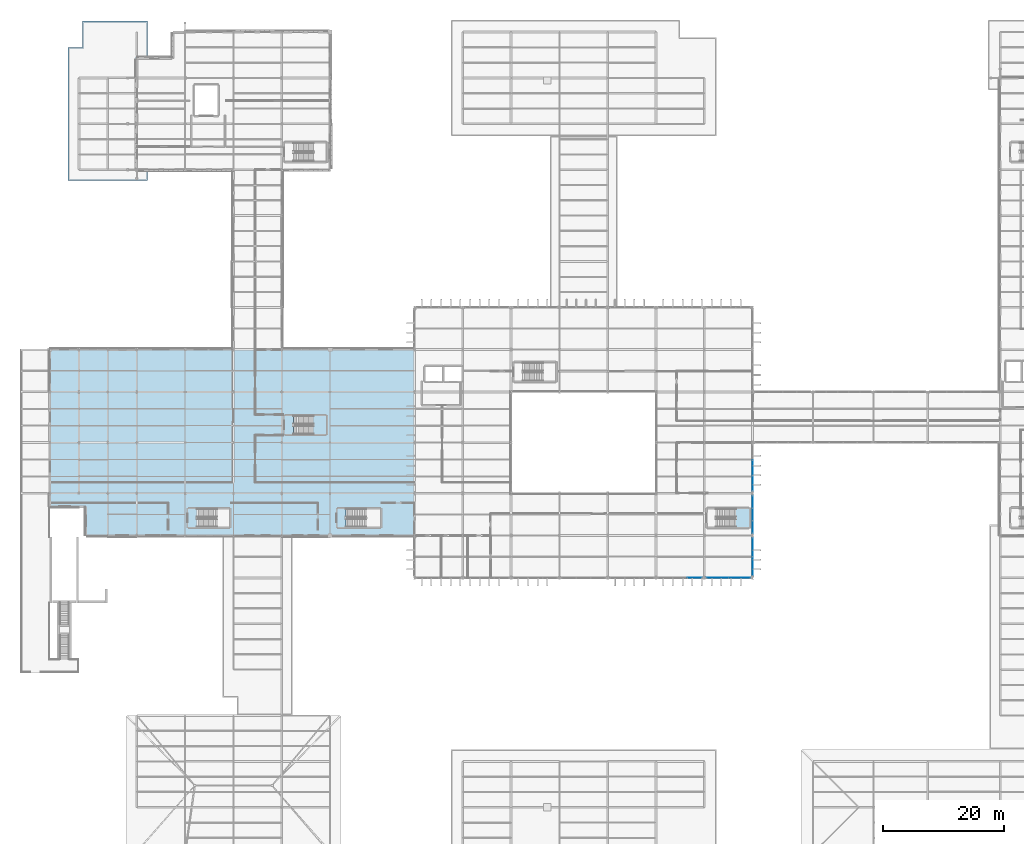
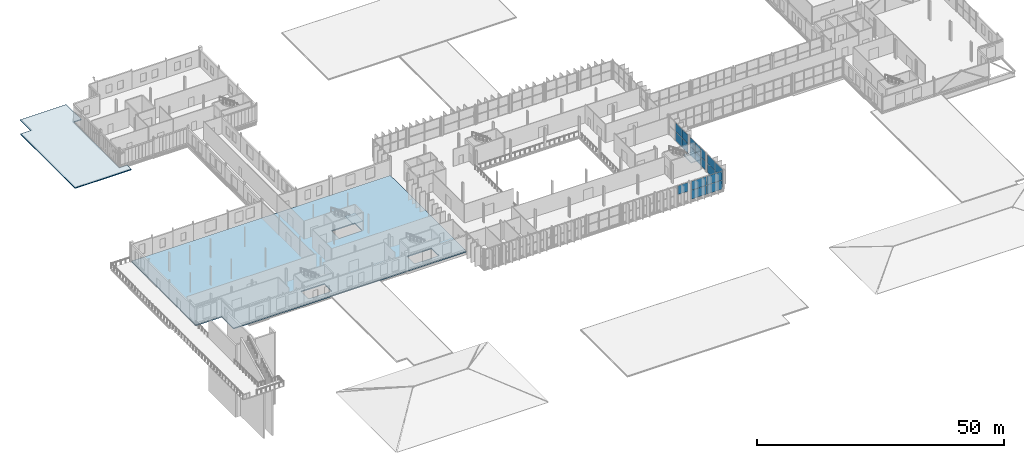
# One storey, part 81 of 120: 19 plates, 4 slabs, 7 elements without a shape of their own.
"""IFC4 building model written with IfcOpenShell, lengths in metres."""

from ifc_helpers import new_model, si_unit, direction, frame, origin, origin_2d, place, context, subcontext, project, spatial, polyline, rectangle, outline, extrude, material, layer, layer_set, type_object, element, aggregate, save


model = new_model("IFC4")

# Units and contexts
model_context = context("Model", 3, precision=1e-05, world=origin(), true_north=direction((0.0, 1.0)))
body_context = subcontext(model_context, "Body", "Model", "MODEL_VIEW")
ifc_project = project(units=[si_unit("LENGTHUNIT", "METRE"), si_unit("AREAUNIT", "SQUARE_METRE"), si_unit("VOLUMEUNIT", "CUBIC_METRE"), si_unit("PLANEANGLEUNIT", "RADIAN"), si_unit("MASSUNIT", "GRAM", prefix="KILO")], contexts=[model_context])

# Site, building, storey
site_placement = place(None, origin())
site = spatial("IfcSite", under=ifc_project, at=site_placement, CompositionType="ELEMENT")
building_placement = place(site_placement, origin())
building = spatial("IfcBuilding", under=site, at=building_placement, Name="Vekula Escarpment Museum", CompositionType="ELEMENT")
storey_placement = place(building_placement, frame((0.0, 0.0, 13.199951171875)))
storey = spatial("IfcBuildingStorey", under=building, at=storey_placement, Name="L03", CompositionType="ELEMENT", Elevation=13.199951171875)

# Curtain wall, plates
ifc_material_1 = material(Name="Aluminium thermally broken framing", Category="aluminium")
ifc_layer_1 = layer(ifc_material_1, 0.179931640625)
ifc_layer_set_1 = layer_set([ifc_layer_1], Name="Aluminium thermally broken framing")
curtain_wall_type_1 = type_object("IfcCurtainWallType", Name="CW-SYS-08", PredefinedType="NOTDEFINED", material=ifc_layer_set_1)
curtain_wall_1_placement = place(storey_placement, origin())
curtain_wall_1 = element("IfcCurtainWall", 1, at=curtain_wall_1_placement, inside=storey, type_object=curtain_wall_type_1, Name="Curtain Wall CW-L03-108", PredefinedType="NOTDEFINED")
ifc_material_2 = material(Name="Double solar-control low-E glass", Category="glass")
ifc_layer_2 = layer(ifc_material_2, 0.028076171875)
ifc_layer_set_2 = layer_set([ifc_layer_2], Name="Double solar-control low-E glass")
plate_type_1 = type_object("IfcPlateType", Name="CW-PNL-28", PredefinedType="CURTAIN_PANEL", material=ifc_layer_set_2)
plate_1_placement = place(storey_placement, frame((126.0, 47.544921875, 0.06005859375), z_axis=(0.0, 0.0, 1.0), x_axis=(0.0, 1.0, 0.0)))
plate_1 = element("IfcPlate", 2, at=plate_1_placement, type_object=plate_type_1, Name="CW-08 panel 1.1", PredefinedType="CURTAIN_PANEL", context=body_context, shape_type="SweptSolid", body=[
    extrude(rectangle(XDim=3.050048828125, YDim=0.028076171875, at=origin_2d()), origin(), (0.0, 0.0, 1.0), 2.18994140625),
])
plate_2_placement = place(storey_placement, frame((126.0, 47.544921875, 2.31005859375), z_axis=(0.0, 0.0, 1.0), x_axis=(0.0, 1.0, 0.0)))
plate_2 = element("IfcPlate", 3, at=plate_2_placement, type_object=plate_type_1, Name="CW-08 panel 1.2", PredefinedType="CURTAIN_PANEL", context=body_context, shape_type="SweptSolid", body=[
    extrude(rectangle(XDim=3.050048828125, YDim=0.028076171875, at=origin_2d()), origin(), (0.0, 0.0, 1.0), 2.18994140625),
])
plate_3_placement = place(storey_placement, frame((126.0, 50.655029296875, 0.06005859375), z_axis=(0.0, 0.0, 1.0), x_axis=(0.0, 1.0, 0.0)))
plate_3 = element("IfcPlate", 4, at=plate_3_placement, type_object=plate_type_1, Name="CW-08 panel 2.1", PredefinedType="CURTAIN_PANEL", context=body_context, shape_type="SweptSolid", body=[
    extrude(rectangle(XDim=3.050048828125, YDim=0.028076171875, at=origin_2d()), origin(), (0.0, 0.0, 1.0), 2.18994140625),
])
plate_4_placement = place(storey_placement, frame((126.0, 50.655029296875, 2.31005859375), z_axis=(0.0, 0.0, 1.0), x_axis=(0.0, 1.0, 0.0)))
plate_4 = element("IfcPlate", 5, at=plate_4_placement, type_object=plate_type_1, Name="CW-08 panel 2.2", PredefinedType="CURTAIN_PANEL", context=body_context, shape_type="SweptSolid", body=[
    extrude(rectangle(XDim=3.050048828125, YDim=0.028076171875, at=origin_2d()), origin(), (0.0, 0.0, 1.0), 2.18994140625),
])
aggregate(curtain_wall_1, [plate_1, plate_2, plate_3, plate_4])

ifc_material_3 = material(Name="Aluminium thermally broken framing", Category="aluminium")
ifc_layer_3 = layer(ifc_material_3, 0.14990234375)
ifc_layer_set_3 = layer_set([ifc_layer_3], Name="Aluminium thermally broken framing")
curtain_wall_type_2 = type_object("IfcCurtainWallType", Name="CW-SYS-09", PredefinedType="NOTDEFINED", material=ifc_layer_set_3)
curtain_wall_2_placement = place(storey_placement, origin())
curtain_wall_2 = element("IfcCurtainWall", 6, at=curtain_wall_2_placement, inside=storey, type_object=curtain_wall_type_2, Name="Curtain Wall CW-L03-109", PredefinedType="NOTDEFINED")
ifc_material_4 = material(Name="Acoustic laminated double low-E glass", Category="glass")
ifc_layer_4 = layer(ifc_material_4, 0.031982421875)
ifc_layer_set_4 = layer_set([ifc_layer_4], Name="Acoustic laminated double low-E glass")
plate_type_2 = type_object("IfcPlateType", Name="CW-PNL-32", PredefinedType="CURTAIN_PANEL", material=ifc_layer_set_4)
plate_5_placement = place(storey_placement, frame((126.0, 54.021728515625, 0.06005859375), z_axis=(0.0, 0.0, 1.0), x_axis=(0.0, 1.0, 0.0)))
plate_5 = element("IfcPlate", 7, at=plate_5_placement, type_object=plate_type_2, Name="CW-09 panel 1.1", PredefinedType="CURTAIN_PANEL", context=body_context, shape_type="SweptSolid", body=[
    extrude(rectangle(XDim=2.00341796875, YDim=0.031982421875, at=origin_2d()), origin(), (0.0, 0.0, 1.0), 2.18994140625),
])
plate_6_placement = place(storey_placement, frame((126.0, 54.021728515625, 2.31005859375), z_axis=(0.0, 0.0, 1.0), x_axis=(0.0, 1.0, 0.0)))
plate_6 = element("IfcPlate", 8, at=plate_6_placement, type_object=plate_type_2, Name="CW-09 panel 1.2", PredefinedType="CURTAIN_PANEL", context=body_context, shape_type="SweptSolid", body=[
    extrude(rectangle(XDim=2.00341796875, YDim=0.031982421875, at=origin_2d()), origin(), (0.0, 0.0, 1.0), 2.18994140625),
])
plate_7_placement = place(storey_placement, frame((126.0, 56.10009765625, 0.06005859375), z_axis=(0.0, 0.0, 1.0), x_axis=(0.0, 1.0, 0.0)))
plate_7 = element("IfcPlate", 9, at=plate_7_placement, type_object=plate_type_2, Name="CW-09 panel 2.1", PredefinedType="CURTAIN_PANEL", context=body_context, shape_type="SweptSolid", body=[
    extrude(rectangle(XDim=2.033447265625, YDim=0.031982421875, at=origin_2d()), origin(), (0.0, 0.0, 1.0), 2.18994140625),
])
plate_8_placement = place(storey_placement, frame((126.0, 56.10009765625, 2.31005859375), z_axis=(0.0, 0.0, 1.0), x_axis=(0.0, 1.0, 0.0)))
plate_8 = element("IfcPlate", 10, at=plate_8_placement, type_object=plate_type_2, Name="CW-09 panel 2.2", PredefinedType="CURTAIN_PANEL", context=body_context, shape_type="SweptSolid", body=[
    extrude(rectangle(XDim=2.033447265625, YDim=0.031982421875, at=origin_2d()), origin(), (0.0, 0.0, 1.0), 2.18994140625),
])
plate_9_placement = place(storey_placement, frame((126.0, 58.17822265625, 0.06005859375), z_axis=(0.0, 0.0, 1.0), x_axis=(0.0, 1.0, 0.0)))
plate_9 = element("IfcPlate", 11, at=plate_9_placement, type_object=plate_type_2, Name="CW-09 panel 3.1", PredefinedType="CURTAIN_PANEL", context=body_context, shape_type="SweptSolid", body=[
    extrude(rectangle(XDim=2.00341796875, YDim=0.031982421875, at=origin_2d()), origin(), (0.0, 0.0, 1.0), 2.18994140625),
])
plate_10_placement = place(storey_placement, frame((126.0, 58.17822265625, 2.31005859375), z_axis=(0.0, 0.0, 1.0), x_axis=(0.0, 1.0, 0.0)))
plate_10 = element("IfcPlate", 12, at=plate_10_placement, type_object=plate_type_2, Name="CW-09 panel 3.2", PredefinedType="CURTAIN_PANEL", context=body_context, shape_type="SweptSolid", body=[
    extrude(rectangle(XDim=2.00341796875, YDim=0.031982421875, at=origin_2d()), origin(), (0.0, 0.0, 1.0), 2.18994140625),
])
aggregate(curtain_wall_2, [plate_5, plate_6, plate_7, plate_8, plate_9, plate_10])

# Curtain wall, plate
ifc_material_5 = material(Name="Aluminium thermally broken framing", Category="aluminium")
ifc_layer_5 = layer(ifc_material_5, 0.139892578125)
ifc_layer_set_5 = layer_set([ifc_layer_5], Name="Aluminium thermally broken framing")
curtain_wall_type_3 = type_object("IfcCurtainWallType", Name="CW-SYS-06", PredefinedType="NOTDEFINED", material=ifc_layer_set_5)
curtain_wall_3_placement = place(storey_placement, origin())
curtain_wall_3 = element("IfcCurtainWall", 13, at=curtain_wall_3_placement, inside=storey, type_object=curtain_wall_type_3, Name="Curtain Wall CW-L03-106", PredefinedType="NOTDEFINED")
ifc_material_6 = material(Name="Triple UV-filtered museum gallery glass", Category="glass")
ifc_layer_6 = layer(ifc_material_6, 0.035888671875)
ifc_layer_set_6 = layer_set([ifc_layer_6], Name="Triple UV-filtered museum gallery glass")
plate_type_3 = type_object("IfcPlateType", Name="CW-PNL-36", PredefinedType="CURTAIN_PANEL", material=ifc_layer_set_6)
plate_11_placement = place(storey_placement, frame((116.41162109375, 45.60009765625, 2.31005859375), z_axis=(0.0, 0.0, 1.0), x_axis=(1.0, 0.0, 0.0)))
plate_11 = element("IfcPlate", 14, at=plate_11_placement, type_object=plate_type_3, Name="CW-06 panel 3.2", PredefinedType="CURTAIN_PANEL", context=body_context, shape_type="SweptSolid", body=[
    extrude(rectangle(XDim=2.336669921875, YDim=0.035888671875, at=origin_2d()), origin(), (0.0, 0.0, 1.0), 2.18994140625),
])
aggregate(curtain_wall_3, [plate_11])

# Curtain wall, plates
ifc_material_7 = material(Name="Aluminium thermally broken framing", Category="aluminium")
ifc_layer_7 = layer(ifc_material_7, 0.169921875)
ifc_layer_set_7 = layer_set([ifc_layer_7], Name="Aluminium thermally broken framing")
curtain_wall_type_4 = type_object("IfcCurtainWallType", Name="CW-SYS-10", PredefinedType="NOTDEFINED", material=ifc_layer_set_7)
curtain_wall_4_placement = place(storey_placement, origin())
curtain_wall_4 = element("IfcCurtainWall", 15, at=curtain_wall_4_placement, inside=storey, type_object=curtain_wall_type_4, Name="Curtain Wall CW-L03-110", PredefinedType="NOTDEFINED")
plate_12_placement = place(storey_placement, frame((126.0, 61.2548828125, 0.06005859375), z_axis=(0.0, 0.0, 1.0), x_axis=(0.0, 1.0, 0.0)))
plate_12 = element("IfcPlate", 16, at=plate_12_placement, type_object=plate_type_3, Name="CW-10 panel 1.1", PredefinedType="CURTAIN_PANEL", context=body_context, shape_type="SweptSolid", body=[
    extrude(rectangle(XDim=2.469970703125, YDim=0.035888671875, at=origin_2d()), origin(), (0.0, 0.0, 1.0), 2.18994140625),
])
plate_13_placement = place(storey_placement, frame((126.0, 61.2548828125, 2.31005859375), z_axis=(0.0, 0.0, 1.0), x_axis=(0.0, 1.0, 0.0)))
plate_13 = element("IfcPlate", 17, at=plate_13_placement, type_object=plate_type_3, Name="CW-10 panel 1.2", PredefinedType="CURTAIN_PANEL", context=body_context, shape_type="SweptSolid", body=[
    extrude(rectangle(XDim=2.469970703125, YDim=0.035888671875, at=origin_2d()), origin(), (0.0, 0.0, 1.0), 2.18994140625),
])
plate_14_placement = place(storey_placement, frame((126.0, 63.800048828125, 0.06005859375), z_axis=(0.0, 0.0, 1.0), x_axis=(0.0, 1.0, 0.0)))
plate_14 = element("IfcPlate", 18, at=plate_14_placement, type_object=plate_type_3, Name="CW-10 panel 2.1", PredefinedType="CURTAIN_PANEL", context=body_context, shape_type="SweptSolid", body=[
    extrude(rectangle(XDim=2.5, YDim=0.035888671875, at=origin_2d()), origin(), (0.0, 0.0, 1.0), 2.18994140625),
])
plate_15_placement = place(storey_placement, frame((126.0, 63.800048828125, 2.31005859375), z_axis=(0.0, 0.0, 1.0), x_axis=(0.0, 1.0, 0.0)))
plate_15 = element("IfcPlate", 19, at=plate_15_placement, type_object=plate_type_3, Name="CW-10 panel 2.2", PredefinedType="CURTAIN_PANEL", context=body_context, shape_type="SweptSolid", body=[
    extrude(rectangle(XDim=2.5, YDim=0.035888671875, at=origin_2d()), origin(), (0.0, 0.0, 1.0), 2.18994140625),
])
aggregate(curtain_wall_4, [plate_12, plate_13, plate_14, plate_15])

ifc_material_8 = material(Name="Aluminium thermally broken framing", Category="aluminium")
ifc_layer_8 = layer(ifc_material_8, 0.179931640625)
ifc_layer_set_8 = layer_set([ifc_layer_8], Name="Aluminium thermally broken framing")
curtain_wall_type_5 = type_object("IfcCurtainWallType", Name="CW-SYS-07", PredefinedType="NOTDEFINED", material=ifc_layer_set_8)
curtain_wall_5_placement = place(storey_placement, origin())
curtain_wall_5 = element("IfcCurtainWall", 20, at=curtain_wall_5_placement, inside=storey, type_object=curtain_wall_type_5, Name="Curtain Wall CW-L03-107", PredefinedType="NOTDEFINED")
ifc_material_9 = material(Name="Insulated bronze spandrel glass panel", Category="glass")
ifc_layer_9 = layer(ifc_material_9, 0.0400390625)
ifc_layer_set_9 = layer_set([ifc_layer_9], Name="Insulated bronze spandrel glass panel")
plate_type_4 = type_object("IfcPlateType", Name="CW-PNL-40", PredefinedType="CURTAIN_PANEL", material=ifc_layer_set_9)
plate_16_placement = place(storey_placement, frame((120.195068359375, 45.60009765625, 0.06005859375), z_axis=(0.0, 0.0, 1.0), x_axis=(1.0, 0.0, 0.0)))
plate_16 = element("IfcPlate", 21, at=plate_16_placement, type_object=plate_type_4, Name="CW-07 panel 1.1", PredefinedType="CURTAIN_PANEL", context=body_context, shape_type="SweptSolid", body=[
    extrude(rectangle(XDim=3.550048828125, YDim=0.0400390625, at=origin_2d()), origin(), (0.0, 0.0, 1.0), 2.18994140625),
])
plate_17_placement = place(storey_placement, frame((120.195068359375, 45.60009765625, 2.31005859375), z_axis=(0.0, 0.0, 1.0), x_axis=(1.0, 0.0, 0.0)))
plate_17 = element("IfcPlate", 22, at=plate_17_placement, type_object=plate_type_4, Name="CW-07 panel 1.2", PredefinedType="CURTAIN_PANEL", context=body_context, shape_type="SweptSolid", body=[
    extrude(rectangle(XDim=3.550048828125, YDim=0.0400390625, at=origin_2d()), origin(), (0.0, 0.0, 1.0), 2.18994140625),
])
plate_18_placement = place(storey_placement, frame((123.804931640625, 45.60009765625, 0.06005859375), z_axis=(0.0, 0.0, 1.0), x_axis=(1.0, 0.0, 0.0)))
plate_18 = element("IfcPlate", 23, at=plate_18_placement, type_object=plate_type_4, Name="CW-07 panel 2.1", PredefinedType="CURTAIN_PANEL", context=body_context, shape_type="SweptSolid", body=[
    extrude(rectangle(XDim=3.550048828125, YDim=0.0400390625, at=origin_2d()), origin(), (0.0, 0.0, 1.0), 2.18994140625),
])
plate_19_placement = place(storey_placement, frame((123.804931640625, 45.60009765625, 2.31005859375), z_axis=(0.0, 0.0, 1.0), x_axis=(1.0, 0.0, 0.0)))
plate_19 = element("IfcPlate", 24, at=plate_19_placement, type_object=plate_type_4, Name="CW-07 panel 2.2", PredefinedType="CURTAIN_PANEL", context=body_context, shape_type="SweptSolid", body=[
    extrude(rectangle(XDim=3.550048828125, YDim=0.0400390625, at=origin_2d()), origin(), (0.0, 0.0, 1.0), 2.18994140625),
])
aggregate(curtain_wall_5, [plate_16, plate_17, plate_18, plate_19])

# Slab
ifc_material_10 = material(Name="Concrete C35/45", Category="concrete")
ifc_layer_10 = layer(ifc_material_10, 0.25)
ifc_layer_set_10 = layer_set([ifc_layer_10], Name="Concrete C35/45")
slab_type_1 = type_object("IfcSlabType", Name="SL-FLR-250", PredefinedType="FLOOR", material=ifc_layer_set_10)
slab_1_placement = place(storey_placement, frame((0.0, 0.0, -0.25)))
element("IfcSlab", 25, at=slab_1_placement, inside=storey, type_object=slab_type_1, Name="Floor Slab W-L03-V2-W", PredefinedType="FLOOR", context=body_context, shape_type="SweptSolid", body=[
    extrude(outline(polyline([(15.60009765625, 52.60009765625), (70.0, 52.60009765625), (70.0, 83.39990234375), (9.60009765625, 83.39990234375), (9.60009765625, 57.39990234375), (15.60009765625, 57.39990234375), (15.60009765625, 52.60009765625)]), holes=[polyline([(58.679931640625, 54.0), (64.39990234375, 54.0), (64.39990234375, 57.0400390625), (58.679931640625, 57.0400390625), (58.679931640625, 54.0)]), polyline([(33.97998046875, 54.0), (39.39990234375, 54.0), (39.39990234375, 57.0400390625), (33.97998046875, 57.0400390625), (33.97998046875, 54.0)]), polyline([(49.97998046875, 69.39990234375), (55.39990234375, 69.39990234375), (55.39990234375, 72.43994140625), (49.97998046875, 72.43994140625), (49.97998046875, 69.39990234375)])]), origin(), (0.0, 0.0, 1.0), 0.25),
])

# Stair, slab
ifc_material_11 = material(Name="Concrete C35/45", Category="concrete")
stair_type = type_object("IfcStairType", Name="STR-TYPE-142", PredefinedType="HALF_TURN_STAIR", material=ifc_material_11)
stair_1_placement = place(storey_placement, origin())
stair_1 = element("IfcStair", 26, at=stair_1_placement, inside=storey, type_object=stair_type, Name="L03 Great Hall East Exit Stair ST-08", PredefinedType="HALF_TURN_STAIR")
ifc_material_12 = material(Name="Concrete C35/45", Category="concrete")
ifc_layer_11 = layer(ifc_material_12, 0.199951171875)
ifc_layer_set_11 = layer_set([ifc_layer_11], Name="Concrete C35/45")
slab_type_2 = type_object("IfcSlabType", Name="SL-LAND-200", PredefinedType="LANDING", material=ifc_layer_set_11)
slab_2_placement = place(storey_placement, frame((0.0, 0.0, 2.199951171875)))
slab_2 = element("IfcSlab", 27, at=slab_2_placement, type_object=slab_type_2, Name="ST-08 landing 1", PredefinedType="LANDING", context=body_context, shape_type="SweptSolid", body=[
    extrude(outline(polyline([(123.18994140625, 53.909912109375), (125.489990234375, 53.909912109375), (125.489990234375, 57.1298828125), (123.18994140625, 57.1298828125), (123.18994140625, 53.909912109375)])), origin(), (0.0, 0.0, 1.0), 0.2001953125),
])
aggregate(stair_1, [slab_2])

stair_2_placement = place(storey_placement, origin())
stair_2 = element("IfcStair", 28, at=stair_2_placement, inside=storey, type_object=stair_type, Name="L03 Plinth Mid Exit Stair ST-10", PredefinedType="HALF_TURN_STAIR")
slab_3_placement = place(storey_placement, frame((0.0, 0.0, 2.199951171875)))
slab_3 = element("IfcSlab", 29, at=slab_3_placement, type_object=slab_type_2, Name="ST-10 landing 1", PredefinedType="LANDING", context=body_context, shape_type="SweptSolid", body=[
    extrude(outline(polyline([(53.18994140625, 69.31005859375), (55.489990234375, 69.31005859375), (55.489990234375, 72.530029296875), (53.18994140625, 72.530029296875), (53.18994140625, 69.31005859375)])), origin(), (0.0, 0.0, 1.0), 0.2001953125),
])
aggregate(stair_2, [slab_3])

# Slab
ifc_material_13 = material(Name="Concrete C35/45", Category="concrete")
ifc_layer_12 = layer(ifc_material_13, 0.199951171875)
ifc_layer_set_12 = layer_set([ifc_layer_12], Name="Concrete C35/45")
slab_type_3 = type_object("IfcSlabType", Name="SL-ROOF-200", PredefinedType="ROOF", material=ifc_layer_set_12)
slab_4_placement = place(storey_placement, frame((0.0, 0.0, -0.199951171875)))
element("IfcSlab", 30, at=slab_4_placement, inside=storey, type_object=slab_type_3, Name="Overhanging Eave Roof Slab R-L03-V5W1", PredefinedType="ROOF", context=body_context, shape_type="SweptSolid", body=[
    extrude(outline(polyline([(12.60009765625, 133.468017578125), (15.0, 133.468017578125), (15.0, 137.800048828125), (25.800048828125, 137.800048828125), (25.800048828125, 131.697998046875), (23.969970703125, 131.697998046875), (23.969970703125, 113.169921875), (25.800048828125, 113.169921875), (25.800048828125, 111.39990234375), (12.60009765625, 111.39990234375), (12.60009765625, 133.468017578125)])), origin(), (0.0, 0.0, 1.0), 0.199951171875),
])

save(model, "model.ifc")
